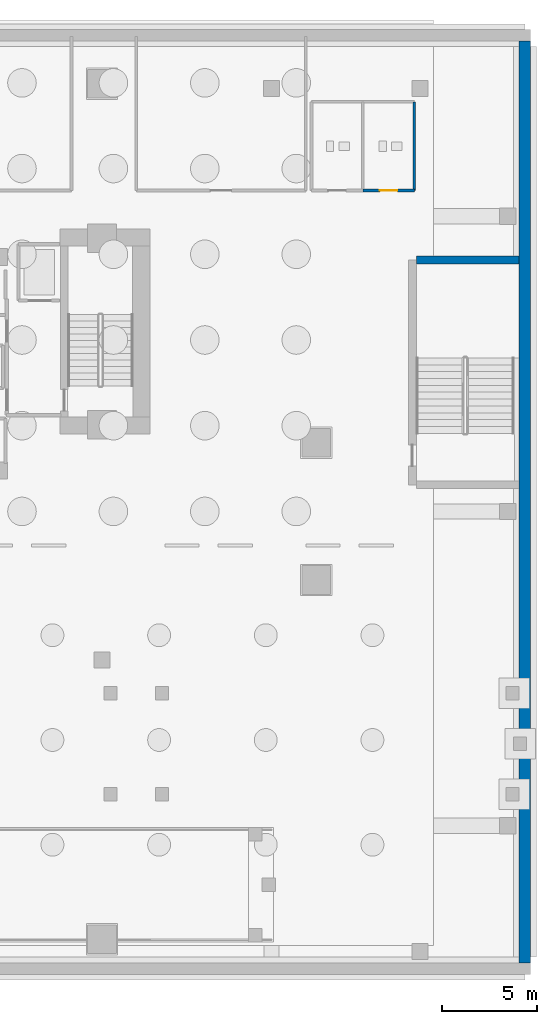
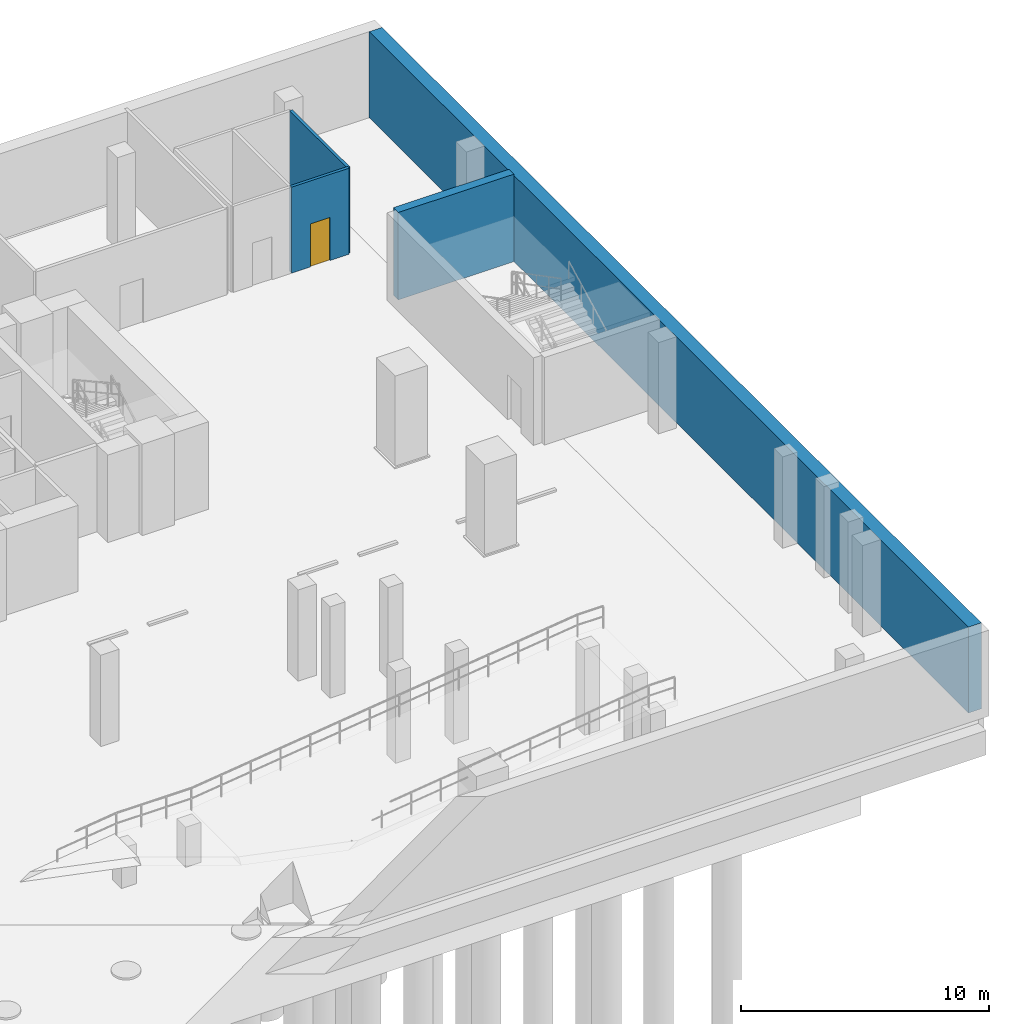
# One storey, part 6 of 13: 4 walls, 1 door, 1 opening.
"""IFC4 building model written with IfcOpenShell, lengths in metres."""

from ifc_helpers import new_model, si_unit, direction, frame, frame_2d, origin, place, context, subcontext, project, spatial, rectangle, extrude, material, layer, layer_set, type_object, element, fill, save


model = new_model("IFC4")

# Units and contexts
model_context = context("Model", 3, precision=1e-05, world=origin(), true_north=direction((0.0, 1.0)))
body_context = subcontext(model_context, "Body", "Model", "MODEL_VIEW")
ifc_project = project(units=[si_unit("LENGTHUNIT", "METRE"), si_unit("AREAUNIT", "SQUARE_METRE"), si_unit("VOLUMEUNIT", "CUBIC_METRE"), si_unit("PLANEANGLEUNIT", "RADIAN"), si_unit("MASSUNIT", "GRAM", prefix="KILO")], contexts=[model_context])

# Site, building, storey
site_placement = place(None, origin())
site = spatial("IfcSite", under=ifc_project, at=site_placement, CompositionType="ELEMENT")
building_placement = place(site_placement, origin())
building = spatial("IfcBuilding", under=site, at=building_placement, Name="Zuhayl Quay Hotel", CompositionType="ELEMENT")
storey_placement = place(building_placement, frame((0.0, 0.0, -9.0)))
storey = spatial("IfcBuildingStorey", under=building, at=storey_placement, Name="B2", CompositionType="ELEMENT", Elevation=-9.0)

# Wall, opening, door
ifc_material_1 = material(Name="Moisture-Resistant Sanitarychase Gypsum")
ifc_layer_1 = layer(ifc_material_1, 0.135009765625, Name="Moisture-Resistant Sanitarychase Gypsum")
ifc_layer_set_1 = layer_set([ifc_layer_1], Name="Moisture-Resistant Sanitarychase Gypsum")
wall_type_1 = type_object("IfcWallType", Name="WL_PART_PLUMB_150", PredefinedType="PLUMBINGWALL", material=ifc_layer_set_1)
wall_1_placement = place(storey_placement, frame((27.5, 16.85009765625, 0.0), z_axis=(0.0, 0.0, 1.0), x_axis=(1.0, 0.0, 0.0)))
wall_1 = element("IfcWall", 1, at=wall_1_placement, inside=storey, type_object=wall_type_1, Name="B2 Partition IW_B2_BWC_ACC_F", PredefinedType="PLUMBINGWALL", context=body_context, shape_type="SweptSolid", body=[
    extrude(rectangle(XDim=2.699951171875, YDim=0.135009765625, at=frame_2d((1.35009765625, 0.0))), origin(), (0.0, 0.0, 1.0), 4.239990234375),
])
opening_placement = place(wall_1_placement, frame((0.889892578125, 0.0, 0.0)))
opening = element("IfcOpeningElement", 2, at=opening_placement, cuts=wall_1, Name="Opening D05", PredefinedType="OPENING", context=body_context, shape_type="SweptSolid", body=[
    extrude(rectangle(XDim=0.919921875, YDim=2.1201171875, at=frame_2d((0.4599609375, 1.06005859375))), frame((0.0, 0.077392578125, 0.0), z_axis=(0.0, -1.0, 0.0), x_axis=(1.0, 0.0, 0.0)), (0.0, 0.0, 1.0), 0.155029296875),
])
ifc_material_2 = material(Name="Solid Walnut Acoustic Fire Door")
door_type = type_object("IfcDoorType", Name="DR_INT_950", OperationType="NOTDEFINED", PredefinedType="DOOR", material=ifc_material_2)
door_placement = place(opening_placement, origin())
door = element("IfcDoor", 3, at=door_placement, inside=storey, type_object=door_type, Name="B2 Accessible Wheelchair WC Door", OperationType="SINGLE_SWING_LEFT", OverallHeight=2.1201171875, OverallWidth=0.919921875, PredefinedType="DOOR", context=body_context, shape_type="SweptSolid", body=[
    extrude(rectangle(XDim=0.919921875, YDim=2.1201171875, at=frame_2d((0.4599609375, 1.06005859375))), frame((0.0, 0.02490234375, 0.0), z_axis=(0.0, -1.0, 0.0), x_axis=(1.0, 0.0, 0.0)), (0.0, 0.0, 1.0), 0.050048828125),
])
fill(opening, door)

# Walls
wall_2_placement = place(storey_placement, frame((30.199951171875, 16.85009765625, 0.0), z_axis=(0.0, 0.0, 1.0), x_axis=(0.0, 1.0, 0.0)))
element("IfcWall", 4, at=wall_2_placement, inside=storey, type_object=wall_type_1, Name="B2 Partition IW_B2_BWC_E", PredefinedType="PLUMBINGWALL", context=body_context, shape_type="SweptSolid", body=[
    extrude(rectangle(XDim=4.64990234375, YDim=0.135009765625, at=frame_2d((2.324951171875, 0.0))), origin(), (0.0, 0.0, 1.0), 4.239990234375),
])
ifc_material_3 = material(Name="Concrete C50/60", Category="concrete")
ifc_layer_2 = layer(ifc_material_3, 0.60009765625, Name="Concrete C50/60", Category="concrete")
ifc_layer_set_2 = layer_set([ifc_layer_2], Name="Concrete C50/60")
wall_type_2 = type_object("IfcWallType", Name="WL_RET_600", PredefinedType="USERDEFINED", material=ifc_layer_set_2)
wall_3_placement = place(storey_placement, frame((36.0, 24.699951171875, 0.0), z_axis=(0.0, 0.0, 1.0), x_axis=(0.0, -1.0, 0.0)))
element("IfcWall", 5, at=wall_3_placement, inside=storey, type_object=wall_type_2, Name="B2 Basement Retaining Wall E", ObjectType="RETAINING WALL", PredefinedType="USERDEFINED", context=body_context, shape_type="SweptSolid", body=[
    extrude(rectangle(XDim=48.39990234375, YDim=0.60009765625, at=frame_2d((24.199951171875, 0.0))), origin(), (0.0, 0.0, 1.0), 4.239990234375),
])
ifc_material_4 = material(Name="Concrete C60/75", Category="concrete")
ifc_layer_3 = layer(ifc_material_4, 0.39990234375, Name="Concrete C60/75", Category="concrete")
ifc_layer_set_3 = layer_set([ifc_layer_3], Name="Concrete C60/75")
wall_type_3 = type_object("IfcWallType", Name="WL_STAIR_400", PredefinedType="SHEAR", material=ifc_layer_set_3)
wall_4_placement = place(storey_placement, frame((30.300048828125, 13.199951171875, 0.0), z_axis=(0.0, 0.0, 1.0), x_axis=(1.0, 0.0, 0.0)))
element("IfcWall", 6, at=wall_4_placement, inside=storey, type_object=wall_type_3, Name="B2 Podium Stair Shear Wall SW_ST4_N", PredefinedType="SHEAR", context=body_context, shape_type="SweptSolid", body=[
    extrude(rectangle(XDim=5.39990234375, YDim=0.39990234375, at=frame_2d((2.699951171875, 0.0))), origin(), (0.0, 0.0, 1.0), 4.31005859375),
])

save(model, "model.ifc")
